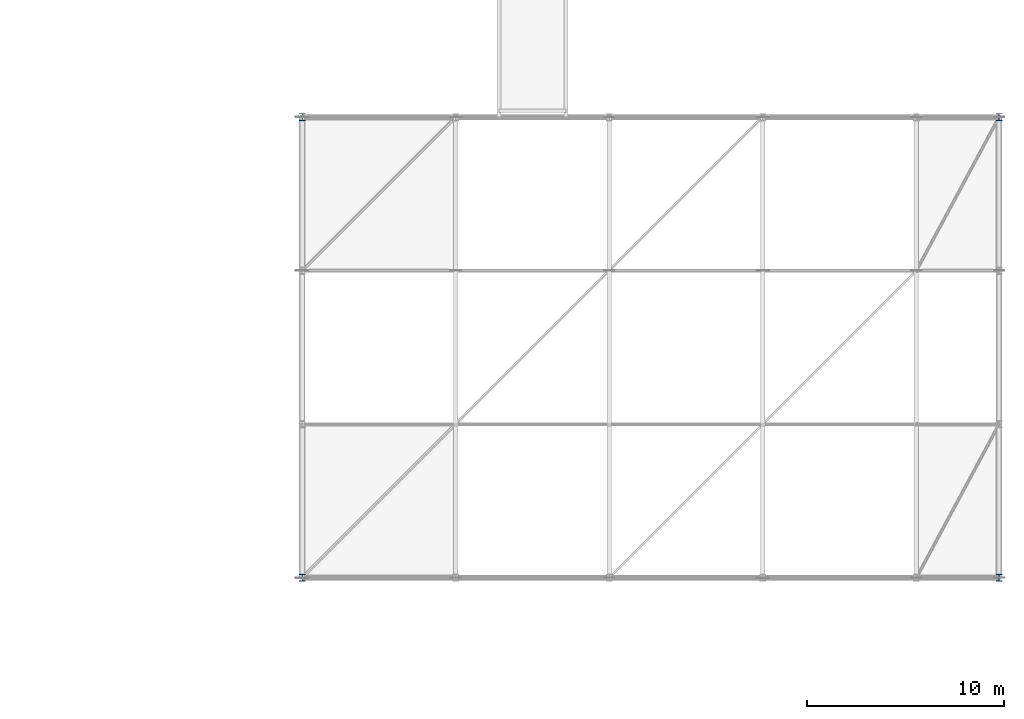
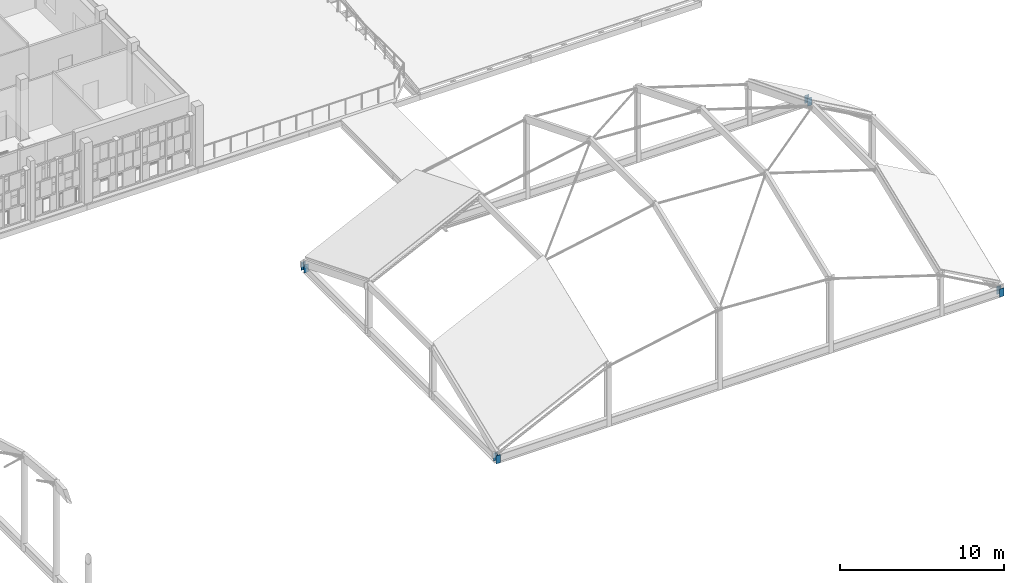
# One storey, part 15 of 119: 4 columns.
"""IFC4 building model written with IfcOpenShell, lengths in metres."""

from ifc_helpers import new_model, si_unit, direction, frame, origin, origin_2d, place, context, subcontext, project, spatial, i_section, extrude, material, material_profile, profile_set, type_object, element, save


model = new_model("IFC4")

# Units and contexts
model_context = context("Model", 3, precision=1e-05, world=origin(), true_north=direction((0.0, 1.0)))
body_context = subcontext(model_context, "Body", "Model", "MODEL_VIEW")
ifc_project = project(units=[si_unit("LENGTHUNIT", "METRE"), si_unit("AREAUNIT", "SQUARE_METRE"), si_unit("VOLUMEUNIT", "CUBIC_METRE"), si_unit("PLANEANGLEUNIT", "RADIAN"), si_unit("MASSUNIT", "GRAM", prefix="KILO")], contexts=[model_context])

# Site, building, storey
site_placement = place(None, origin())
site = spatial("IfcSite", under=ifc_project, at=site_placement, CompositionType="ELEMENT")
building_placement = place(site_placement, origin())
building = spatial("IfcBuilding", under=site, at=building_placement, Name="Celorna Specialist Clinic", CompositionType="ELEMENT")
storey_placement = place(building_placement, frame((0.0, 0.0, 9.60009765625)))
storey = spatial("IfcBuildingStorey", under=building, at=storey_placement, Name="L02", CompositionType="ELEMENT", Elevation=9.60009765625)

# Columns
ifc_material = material(Name="Steel S355", Category="steel")
ifc_material_profile = material_profile(ifc_material, i_section(OverallWidth=0.300048828125, OverallDepth=0.360107421875, WebThickness=0.012451171875, FlangeThickness=0.0224609375, at=origin_2d()), Name="HE 360 B")
ifc_profile_set = profile_set([ifc_material_profile], Name="Steel S355")
column_type = type_object("IfcColumnType", Name="CT-13", PredefinedType="COLUMN", material=ifc_profile_set)
for number, where, z_axis, x_axis, name in (
    (1, (132.60009765625, 60.0, 0.0), (0.0, 0.0, 1.0), (1.0, 0.0, 0.0), "Column CT-13 L02 X18/YL"),
    (2, (132.60009765625, 83.39990234375, 0.0), (0.0, 0.0, 1.0), (1.0, 0.0, 0.0), "Column CT-13 L02 X18/YQ"),
    (3, (168.0, 60.0, 0.0), (0.0, 0.0, 1.0), (1.0, 0.0, 0.0), "Column CT-13 L02 X23/YL"),
    (4, (168.0, 83.39990234375, 0.0), (0.0, 0.0, 1.0), (1.0, 0.0, 0.0), "Column CT-13 L02 X23/YQ"),
):
    element("IfcColumn", number, at=place(storey_placement, frame(where, z_axis=z_axis, x_axis=x_axis)), inside=storey, type_object=column_type, Name=name, PredefinedType="COLUMN", context=body_context, shape_type="SweptSolid", body=[
        extrude(i_section(OverallWidth=0.300048828125, OverallDepth=0.360107421875, WebThickness=0.012451171875, FlangeThickness=0.0224609375, at=origin_2d()), origin(), (0.0, 0.0, 1.0), 0.599853515625),
    ])

save(model, "model.ifc")
